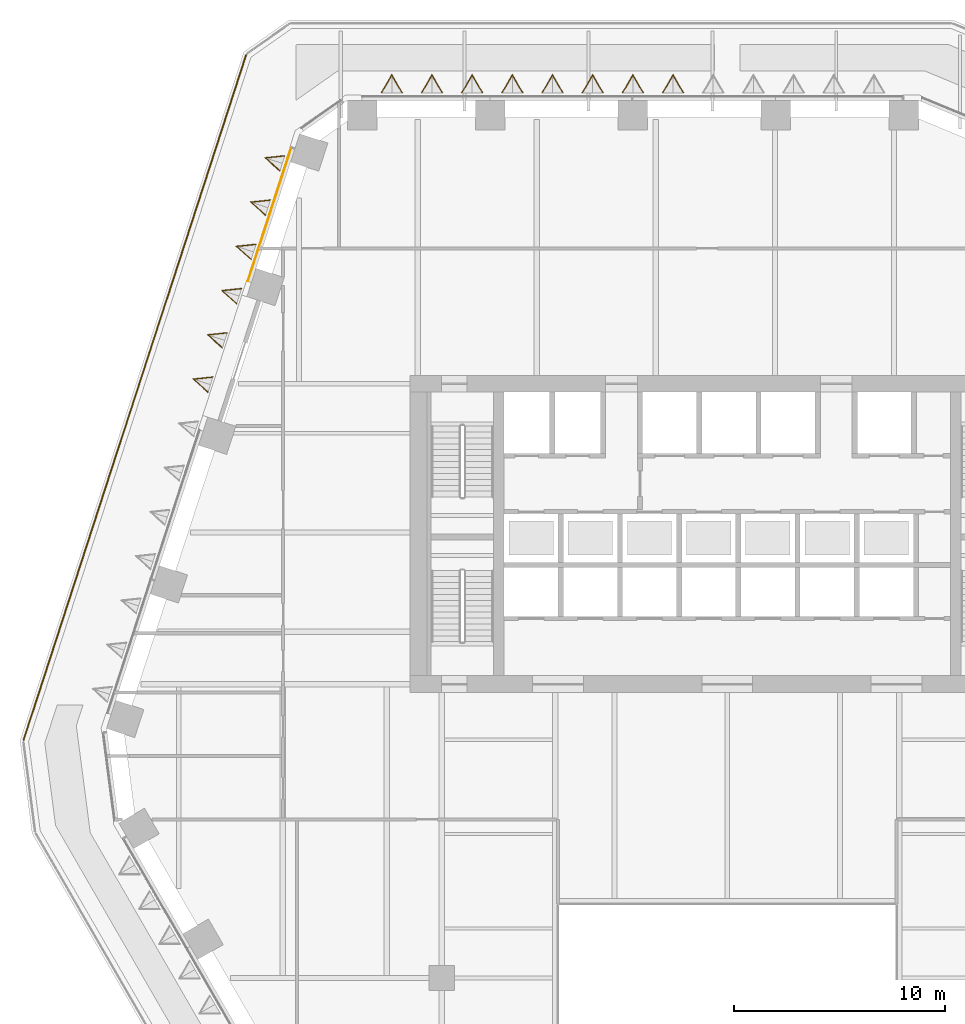
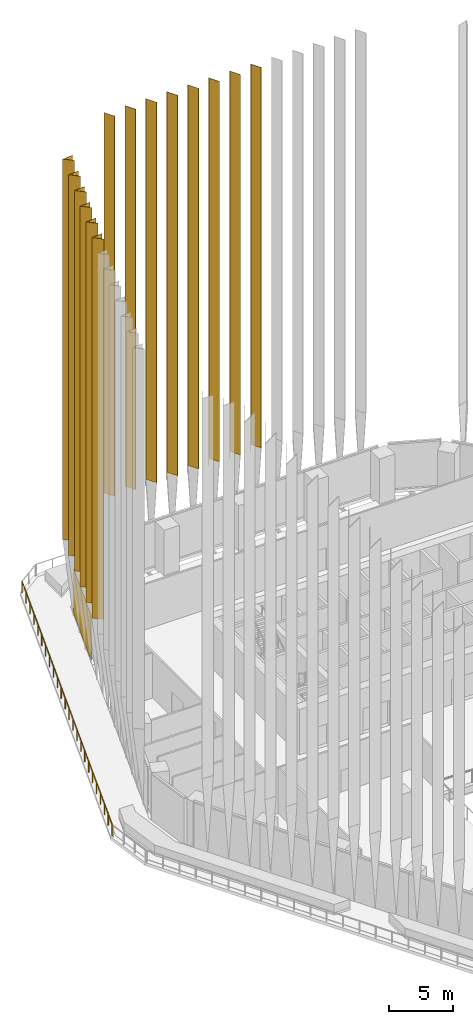
# One storey, part 20 of 27: 15 coverings, 1 railing, 1 element without a shape of its own.
"""IFC4 building model written with IfcOpenShell, lengths in metres."""

from ifc_helpers import new_model, si_unit, direction, frame, origin, origin_2d, place, context, subcontext, project, spatial, polyline, rectangle, circle, outline, extrude, material, layer, layer_set, material_profile, profile_set, type_object, element, aggregate, save


model = new_model("IFC4")

# Units and contexts
model_context = context("Model", 3, precision=1e-05, world=origin(), true_north=direction((0.0, 1.0)))
body_context = subcontext(model_context, "Body", "Model", "MODEL_VIEW")
ifc_project = project(units=[si_unit("LENGTHUNIT", "METRE"), si_unit("AREAUNIT", "SQUARE_METRE"), si_unit("VOLUMEUNIT", "CUBIC_METRE"), si_unit("PLANEANGLEUNIT", "RADIAN"), si_unit("MASSUNIT", "GRAM", prefix="KILO")], contexts=[model_context])

# Site, building, storey
site_placement = place(None, origin())
site = spatial("IfcSite", under=ifc_project, at=site_placement, CompositionType="ELEMENT")
building_placement = place(site_placement, origin())
building = spatial("IfcBuilding", under=site, at=building_placement, Name="Isthmus Gate Tower", CompositionType="ELEMENT")
storey_placement = place(building_placement, frame((0.0, 0.0, 121.64990234375)))
storey = spatial("IfcBuildingStorey", under=building, at=storey_placement, Name="L29", CompositionType="ELEMENT", Elevation=121.64990234375)

# Curtain wall, covering
ifc_material_1 = material(Name="Aluminium, pale champagne anodised", Category="aluminium")
ifc_layer_1 = layer(ifc_material_1, 0.199951171875)
ifc_layer_set_1 = layer_set([ifc_layer_1], Name="CW-1 UNITISED CURTAIN WALL 200 DEEP")
curtain_wall_type = type_object("IfcCurtainWallType", Name="CW-1 UNITISED CURTAIN WALL 200 DEEP", PredefinedType="NOTDEFINED", material=ifc_layer_set_1)
curtain_wall_placement = place(storey_placement, origin())
curtain_wall = element("IfcCurtainWall", 1, at=curtain_wall_placement, inside=storey, type_object=curtain_wall_type, Name="CW-1 NW L29", PredefinedType="NOTDEFINED")
ifc_material_2 = material(Name="Aluminium composite panel, pale champagne anodised", Category="aluminium")
ifc_layer_2 = layer(ifc_material_2, 0.035888671875)
ifc_layer_set_2 = layer_set([ifc_layer_2], Name="CW-1 PALE METAL PANEL 36")
covering_type_1 = type_object("IfcCoveringType", Name="CW-1 PALE METAL PANEL 36", PredefinedType="CLADDING", material=ifc_layer_set_2)
covering_placement = place(storey_placement, frame((-21.647216796875, 22.59521484375, 0.0), z_axis=(0.0, 0.0, 1.0), x_axis=(-0.309016994375, -0.951056516295, 0.0)))
covering = element("IfcCovering", 2, at=covering_placement, type_object=covering_type_1, Name="CW-1 pale metal panel", PredefinedType="CLADDING", context=body_context, shape_type="SweptSolid", body=[
    extrude(rectangle(XDim=6.630859375, YDim=0.035888671875, at=origin_2d()), origin(), (0.0, 0.0, 1.0), 4.360107421875),
])
aggregate(curtain_wall, [covering])

# Coverings
ifc_material_3 = material(Name="Structural steel ASTM A572 Gr 50, white paint system", Category="steel")
ifc_material_profile_1 = material_profile(ifc_material_3, outline(polyline([(0.0, -0.391845703125), (0.8798828125, 0.0), (0.0, 0.391845703125), (0.0, 0.35888671875), (0.80615234375, 0.0), (0.0, -0.35888671875), (0.0, -0.391845703125)])), Name="V880")
ifc_profile_set_1 = profile_set([ifc_material_profile_1], Name="Structural steel ASTM A572 Gr 50, white paint system")
covering_type_2 = type_object("IfcCoveringType", Name="FIN V 880 DEEP", PredefinedType="CLADDING", material=ifc_profile_set_1)
for number, where, z_axis, x_axis, name in (
    (3, (-21.036376953125, 25.01904296875, 7.75), (0.0, 0.0, 1.0), (-0.951056516295, 0.309016994375, 0.0), "FIN"),
    (4, (-21.71630859375, 22.926513671875, 7.75), (0.0, 0.0, 1.0), (-0.951056516295, 0.309016994375, 0.0), "FIN"),
    (5, (-22.396240234375, 20.834228515625, 7.75), (0.0, 0.0, 1.0), (-0.951056516295, 0.309016994375, 0.0), "FIN"),
    (6, (-23.075927734375, 18.741943359375, 7.75), (0.0, 0.0, 1.0), (-0.951056516295, 0.309016994375, 0.0), "FIN"),
    (7, (-23.755859375, 16.649658203125, 7.75), (0.0, 0.0, 1.0), (-0.951056516295, 0.309016994375, 0.0), "FIN"),
    (8, (-24.435546875, 14.557373046875, 7.75), (0.0, 0.0, 1.0), (-0.951056516295, 0.309016994375, 0.0), "FIN"),
):
    element("IfcCovering", number, at=place(storey_placement, frame(where, z_axis=z_axis, x_axis=x_axis)), inside=storey, type_object=covering_type_2, Name=name, ObjectType="FIN", PredefinedType="CLADDING", context=body_context, shape_type="SweptSolid", body=[
        extrude(outline(polyline([(0.0, -0.391845703125), (0.8798828125, 0.0), (0.0, 0.391845703125), (0.0, 0.35888671875), (0.80615234375, 0.0), (0.0, -0.35888671875), (0.0, -0.391845703125)])), origin(), (0.0, 0.0, 1.0), 36.5),
    ])
ifc_material_4 = material(Name="Structural steel ASTM A572 Gr 50, white paint system", Category="steel")
ifc_material_profile_2 = material_profile(ifc_material_4, outline(polyline([(0.0, -0.508056640625), (0.8798828125, 0.0), (0.0, 0.508056640625), (0.0, 0.473388671875), (0.820068359375, 0.0), (0.0, -0.473388671875), (0.0, -0.508056640625)])), Name="V880W")
ifc_profile_set_2 = profile_set([ifc_material_profile_2], Name="Structural steel ASTM A572 Gr 50, white paint system")
covering_type_3 = type_object("IfcCoveringType", Name="FIN V 880 DEEP WIDE", PredefinedType="CLADDING", material=ifc_profile_set_2)
for number, where, z_axis, x_axis, name in (
    (9, (-2.561767578125, 28.35009765625, 7.75), (0.0, 0.0, 1.0), (0.0, 1.0, 0.0), "FIN"),
    (10, (-4.461669921875, 28.35009765625, 7.75), (0.0, 0.0, 1.0), (0.0, 1.0, 0.0), "FIN"),
    (11, (-6.36181640625, 28.35009765625, 7.75), (0.0, 0.0, 1.0), (0.0, 1.0, 0.0), "FIN"),
    (12, (-8.26171875, 28.35009765625, 7.75), (0.0, 0.0, 1.0), (0.0, 1.0, 0.0), "FIN"),
    (13, (-10.16162109375, 28.35009765625, 7.75), (0.0, 0.0, 1.0), (0.0, 1.0, 0.0), "FIN"),
    (14, (-12.061767578125, 28.35009765625, 7.75), (0.0, 0.0, 1.0), (0.0, 1.0, 0.0), "FIN"),
    (15, (-13.961669921875, 28.35009765625, 7.75), (0.0, 0.0, 1.0), (0.0, 1.0, 0.0), "FIN"),
    (16, (-15.86181640625, 28.35009765625, 7.75), (0.0, 0.0, 1.0), (0.0, 1.0, 0.0), "FIN"),
):
    element("IfcCovering", number, at=place(storey_placement, frame(where, z_axis=z_axis, x_axis=x_axis)), inside=storey, type_object=covering_type_3, Name=name, ObjectType="FIN", PredefinedType="CLADDING", context=body_context, shape_type="SweptSolid", body=[
        extrude(outline(polyline([(0.0, -0.508056640625), (0.8798828125, 0.0), (0.0, 0.508056640625), (0.0, 0.473388671875), (0.820068359375, 0.0), (0.0, -0.473388671875), (0.0, -0.508056640625)])), origin(), (0.0, 0.0, 1.0), 36.5),
    ])

# Railing
ifc_material_5 = material(Name="Stainless steel posts and toughened laminated glass", Category="steel")
railing_type = type_object("IfcRailingType", Name="GUARD 1100 LEDGE GLASS", PredefinedType="GUARDRAIL", material=ifc_material_5)
railing_placement = place(storey_placement, frame((-33.270263671875, -2.23681640625, 0.0)))
element("IfcRailing", 17, at=railing_placement, inside=storey, type_object=railing_type, Name="LEDGE GUARD", PredefinedType="GUARDRAIL", context=body_context, shape_type="SweptSolid", body=[
    extrude(circle(Radius=0.02490234375, at=origin_2d()), frame((0.0, 0.0, 1.0751953125), z_axis=(0.309019583213, 0.951055675127, 0.0), x_axis=(-0.951055675127, 0.309019583213, 0.0)), (0.0, 0.0, 1.0), 34.041748046875),
    extrude(circle(Radius=0.02490234375, at=origin_2d()), origin(), (0.0, 0.0, 1.0), 1.050048828125),
    extrude(circle(Radius=0.02490234375, at=origin_2d()), frame((0.457275390625, 1.40771484375, 0.0)), (0.0, 0.0, 1.0), 1.050048828125),
    extrude(circle(Radius=0.02490234375, at=origin_2d()), frame((0.914794921875, 2.815185546875, 0.0)), (0.0, 0.0, 1.0), 1.050048828125),
    extrude(circle(Radius=0.02490234375, at=origin_2d()), frame((1.3720703125, 4.222900390625, 0.0)), (0.0, 0.0, 1.0), 1.050048828125),
    extrude(circle(Radius=0.02490234375, at=origin_2d()), frame((1.82958984375, 5.630615234375, 0.0)), (0.0, 0.0, 1.0), 1.050048828125),
    extrude(circle(Radius=0.02490234375, at=origin_2d()), frame((2.286865234375, 7.0380859375, 0.0)), (0.0, 0.0, 1.0), 1.050048828125),
    extrude(circle(Radius=0.02490234375, at=origin_2d()), frame((2.744140625, 8.44580078125, 0.0)), (0.0, 0.0, 1.0), 1.050048828125),
    extrude(circle(Radius=0.02490234375, at=origin_2d()), frame((3.20166015625, 9.853515625, 0.0)), (0.0, 0.0, 1.0), 1.050048828125),
    extrude(circle(Radius=0.02490234375, at=origin_2d()), frame((3.658935546875, 11.260986328125, 0.0)), (0.0, 0.0, 1.0), 1.050048828125),
    extrude(circle(Radius=0.02490234375, at=origin_2d()), frame((4.116455078125, 12.668701171875, 0.0)), (0.0, 0.0, 1.0), 1.050048828125),
    extrude(circle(Radius=0.02490234375, at=origin_2d()), frame((4.57373046875, 14.076416015625, 0.0)), (0.0, 0.0, 1.0), 1.050048828125),
    extrude(circle(Radius=0.02490234375, at=origin_2d()), frame((5.031005859375, 15.48388671875, 0.0)), (0.0, 0.0, 1.0), 1.050048828125),
    extrude(circle(Radius=0.02490234375, at=origin_2d()), frame((5.488525390625, 16.8916015625, 0.0)), (0.0, 0.0, 1.0), 1.050048828125),
    extrude(circle(Radius=0.02490234375, at=origin_2d()), frame((5.94580078125, 18.299072265625, 0.0)), (0.0, 0.0, 1.0), 1.050048828125),
    extrude(circle(Radius=0.02490234375, at=origin_2d()), frame((6.403076171875, 19.706787109375, 0.0)), (0.0, 0.0, 1.0), 1.050048828125),
    extrude(circle(Radius=0.02490234375, at=origin_2d()), frame((6.860595703125, 21.114501953125, 0.0)), (0.0, 0.0, 1.0), 1.050048828125),
    extrude(circle(Radius=0.02490234375, at=origin_2d()), frame((7.31787109375, 22.52197265625, 0.0)), (0.0, 0.0, 1.0), 1.050048828125),
    extrude(circle(Radius=0.02490234375, at=origin_2d()), frame((7.775390625, 23.9296875, 0.0)), (0.0, 0.0, 1.0), 1.050048828125),
    extrude(circle(Radius=0.02490234375, at=origin_2d()), frame((8.232666015625, 25.33740234375, 0.0)), (0.0, 0.0, 1.0), 1.050048828125),
    extrude(circle(Radius=0.02490234375, at=origin_2d()), frame((8.68994140625, 26.744873046875, 0.0)), (0.0, 0.0, 1.0), 1.050048828125),
    extrude(circle(Radius=0.02490234375, at=origin_2d()), frame((9.1474609375, 28.152587890625, 0.0)), (0.0, 0.0, 1.0), 1.050048828125),
    extrude(circle(Radius=0.02490234375, at=origin_2d()), frame((9.604736328125, 29.560302734375, 0.0)), (0.0, 0.0, 1.0), 1.050048828125),
    extrude(circle(Radius=0.02490234375, at=origin_2d()), frame((10.062255859375, 30.9677734375, 0.0)), (0.0, 0.0, 1.0), 1.050048828125),
    extrude(circle(Radius=0.02490234375, at=origin_2d()), frame((10.51953125, 32.37548828125, 0.0)), (0.0, 0.0, 1.0), 1.050048828125),
])

save(model, "model.ifc")
